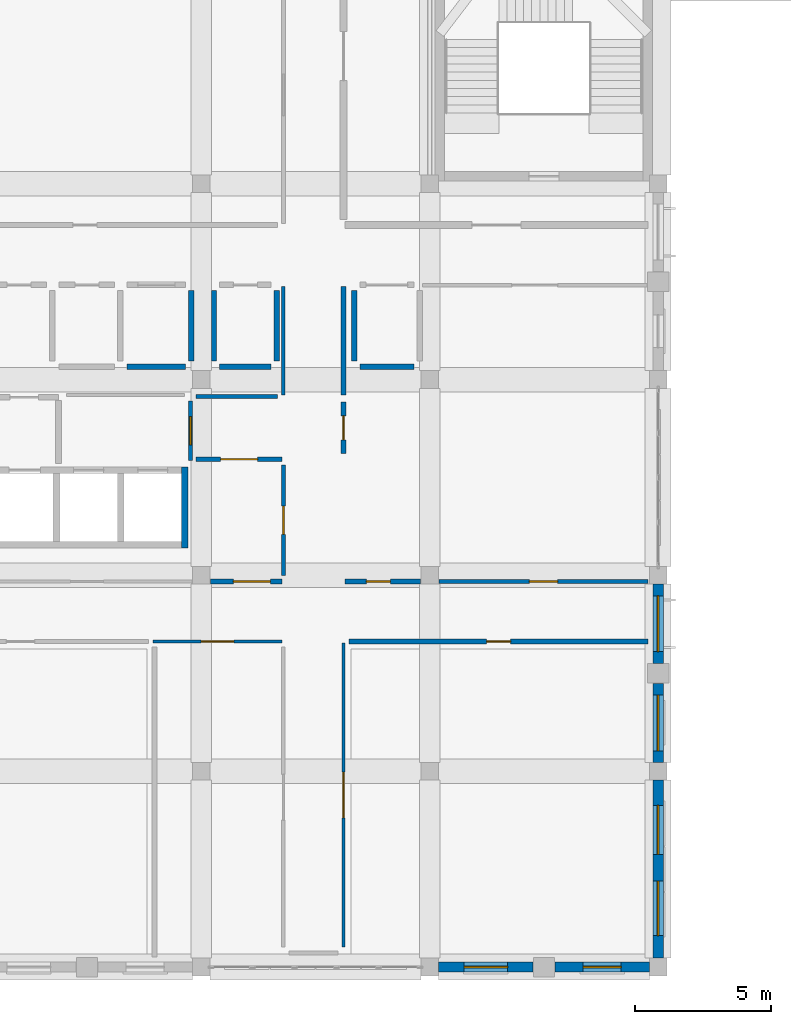
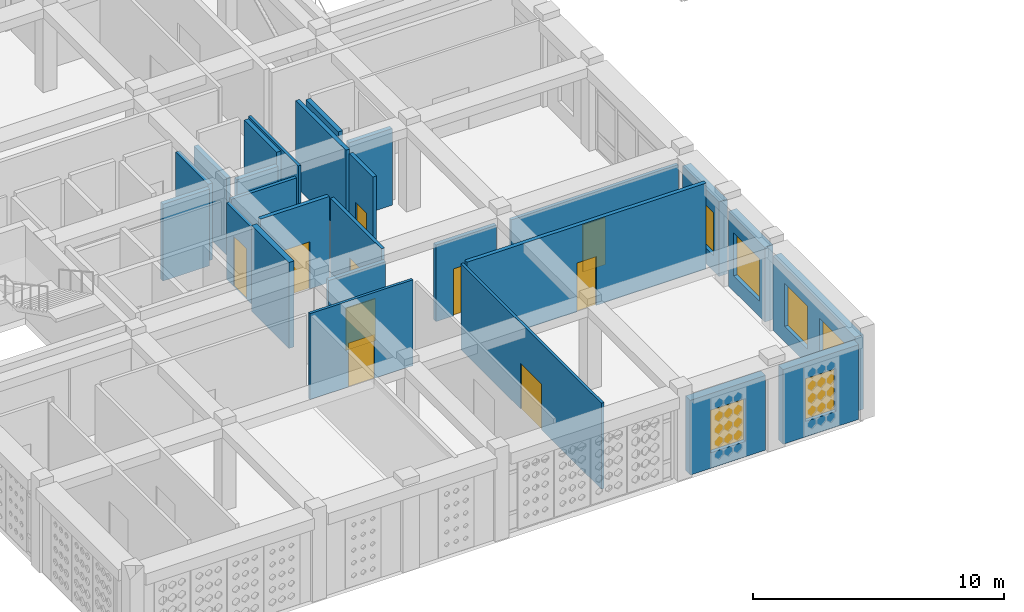
# One storey, part 41 of 79: 26 walls, 10 doors, 6 windows, 16 openings.
"""IFC4 building model written with IfcOpenShell, lengths in metres."""

from ifc_helpers import new_model, si_unit, derived_unit, direction, frame, frame_2d, origin, place, context, subcontext, project, spatial, rectangle, extrude, material, layer, layer_set, type_object, element, fill, save


model = new_model("IFC4")

# Units and contexts
model_context = context("Model", 3, precision=1e-05, world=origin(), true_north=direction((0.0, 1.0)))
body_context = subcontext(model_context, "Body", "Model", "MODEL_VIEW")
ifc_project = project(units=[si_unit("LENGTHUNIT", "METRE"), si_unit("AREAUNIT", "SQUARE_METRE"), si_unit("VOLUMEUNIT", "CUBIC_METRE"), si_unit("PLANEANGLEUNIT", "RADIAN"), si_unit("MASSUNIT", "GRAM", prefix="KILO"), derived_unit("THERMALTRANSMITTANCEUNIT", [(si_unit("POWERUNIT", "WATT"), 1), (si_unit("LENGTHUNIT", "METRE"), -2), (si_unit("THERMODYNAMICTEMPERATUREUNIT", "KELVIN"), -1)])], contexts=[model_context])

# Site, building, storey
site_placement = place(None, origin())
site = spatial("IfcSite", under=ifc_project, at=site_placement, CompositionType="ELEMENT")
building_placement = place(site_placement, origin())
building = spatial("IfcBuilding", under=site, at=building_placement, Name="Veybourne Emporium", CompositionType="ELEMENT")
storey_placement = place(building_placement, frame((0.0, 0.0, 18.89990234375)))
storey = spatial("IfcBuildingStorey", under=building, at=storey_placement, Name="L04", CompositionType="ELEMENT", Elevation=18.89990234375)

# Wall, opening, window
ifc_material_1 = material(Name="Portland Limestone Ashlar", Category="masonry")
ifc_layer_1 = layer(ifc_material_1, 0.3798828125)
ifc_layer_set_1 = layer_set([ifc_layer_1], Name="Portland Limestone Ashlar")
wall_type_1 = type_object("IfcWallType", Name="ExtWall_EW-03", PredefinedType="SOLIDWALL", material=ifc_layer_set_1)
wall_1_placement = place(storey_placement, frame((50.074951171875, 0.0, 0.0), z_axis=(0.0, 0.0, 1.0), x_axis=(-1.0, 0.0, 0.0)))
wall_1 = element("IfcWall", 1, at=wall_1_placement, inside=storey, type_object=wall_type_1, Name="L04 Portland stone external wall 024A", PredefinedType="SOLIDWALL", context=body_context, shape_type="SweptSolid", body=[
    extrude(rectangle(XDim=3.474853515625, YDim=0.3798828125, at=frame_2d((1.7373046875, 0.0))), origin(), (0.0, 0.0, 1.0), 3.630126953125),
])
opening_1_placement = place(wall_1_placement, frame((1.03759765625, 0.0, 0.75)))
opening_1 = element("IfcOpeningElement", 2, at=opening_1_placement, cuts=wall_1, Name="Opening W-10", PredefinedType="OPENING", context=body_context, shape_type="SweptSolid", body=[
    extrude(rectangle(XDim=1.39990234375, YDim=2.080078125, at=frame_2d((0.699951171875, 1.0400390625))), frame((0.0, 0.2099609375, 0.0), z_axis=(0.0, -1.0, 0.0), x_axis=(1.0, 0.0, 0.0)), (0.0, 0.0, 1.0), 0.419921875),
])
ifc_material_2 = material(Name="Low-E Triple Glazing", Category="glass")
window_type_1 = type_object("IfcWindowType", Name="Win_W-10", PartitioningType="DOUBLE_PANEL_VERTICAL", PredefinedType="WINDOW", material=ifc_material_2)
window_1_placement = place(opening_1_placement, origin())
window_1 = element("IfcWindow", 3, at=window_1_placement, inside=storey, type_object=window_type_1, Name="L04 tripartite bronze casement window W-10 (24A)", OverallHeight=2.080078125, OverallWidth=1.39990234375, PartitioningType="DOUBLE_PANEL_VERTICAL", PredefinedType="WINDOW", context=body_context, shape_type="SweptSolid", body=[
    extrude(rectangle(XDim=1.39990234375, YDim=2.080078125, at=frame_2d((0.699951171875, 1.0400390625))), frame((0.0, 0.030029296875, 0.0), z_axis=(0.0, -1.0, 0.0), x_axis=(1.0, 0.0, 0.0)), (0.0, 0.0, 1.0), 0.06005859375),
])
fill(opening_1, window_1)

wall_2_placement = place(storey_placement, frame((45.800048828125, 0.0, 0.0), z_axis=(0.0, 0.0, 1.0), x_axis=(-1.0, 0.0, 0.0)))
wall_2 = element("IfcWall", 4, at=wall_2_placement, inside=storey, type_object=wall_type_1, Name="L04 Portland stone external wall 024B", PredefinedType="SOLIDWALL", context=body_context, shape_type="SweptSolid", body=[
    extrude(rectangle(XDim=3.47509765625, YDim=0.3798828125, at=frame_2d((1.737548828125, 0.0))), origin(), (0.0, 0.0, 1.0), 3.630126953125),
])
opening_2_placement = place(wall_2_placement, frame((0.9375, 0.0, 0.75)))
opening_2 = element("IfcOpeningElement", 5, at=opening_2_placement, cuts=wall_2, Name="Opening W-11", PredefinedType="OPENING", context=body_context, shape_type="SweptSolid", body=[
    extrude(rectangle(XDim=1.60009765625, YDim=2.080078125, at=frame_2d((0.800048828125, 1.0400390625))), frame((0.0, 0.2099609375, 0.0), z_axis=(0.0, -1.0, 0.0), x_axis=(1.0, 0.0, 0.0)), (0.0, 0.0, 1.0), 0.419921875),
])
window_type_2 = type_object("IfcWindowType", Name="Win_W-11", PartitioningType="DOUBLE_PANEL_VERTICAL", PredefinedType="WINDOW", material=ifc_material_2)
window_2_placement = place(opening_2_placement, origin())
window_2 = element("IfcWindow", 6, at=window_2_placement, inside=storey, type_object=window_type_2, Name="L04 tripartite bronze casement window W-11 (24B)", OverallHeight=2.080078125, OverallWidth=1.60009765625, PartitioningType="DOUBLE_PANEL_VERTICAL", PredefinedType="WINDOW", context=body_context, shape_type="SweptSolid", body=[
    extrude(rectangle(XDim=1.60009765625, YDim=2.080078125, at=frame_2d((0.800048828125, 1.0400390625))), frame((0.0, 0.030029296875, 0.0), z_axis=(0.0, -1.0, 0.0), x_axis=(1.0, 0.0, 0.0)), (0.0, 0.0, 1.0), 0.06005859375),
])
fill(opening_2, window_2)

# Wall, openings, windows
wall_3_placement = place(storey_placement, frame((50.39990234375, 6.875, 0.0), z_axis=(0.0, 0.0, 1.0), x_axis=(0.0, -1.0, 0.0)))
wall_3 = element("IfcWall", 7, at=wall_3_placement, inside=storey, type_object=wall_type_1, Name="L04 Portland stone external wall 025", PredefinedType="SOLIDWALL", context=body_context, shape_type="SweptSolid", body=[
    extrude(rectangle(XDim=6.550048828125, YDim=0.3798828125, at=frame_2d((3.27490234375, 0.0))), origin(), (0.0, 0.0, 1.0), 3.630126953125),
])
opening_3_placement = place(wall_3_placement, frame((0.93408203125, 0.0, 0.75)))
opening_3 = element("IfcOpeningElement", 8, at=opening_3_placement, cuts=wall_3, Name="Opening W-12", PredefinedType="OPENING", context=body_context, shape_type="SweptSolid", body=[
    extrude(rectangle(XDim=1.800048828125, YDim=2.080078125, at=frame_2d((0.89990234375, 1.0400390625))), frame((0.0, 0.2099609375, 0.0), z_axis=(0.0, -1.0, 0.0), x_axis=(1.0, 0.0, 0.0)), (0.0, 0.0, 1.0), 0.419921875),
])
opening_4_placement = place(wall_3_placement, frame((3.716064453125, 0.0, 0.75)))
opening_4 = element("IfcOpeningElement", 9, at=opening_4_placement, cuts=wall_3, Name="Opening W-13", PredefinedType="OPENING", context=body_context, shape_type="SweptSolid", body=[
    extrude(rectangle(XDim=2.0, YDim=2.080078125, at=frame_2d((1.0, 1.0400390625))), frame((0.0, 0.2099609375, 0.0), z_axis=(0.0, -1.0, 0.0), x_axis=(1.0, 0.0, 0.0)), (0.0, 0.0, 1.0), 0.419921875),
])
window_type_3 = type_object("IfcWindowType", Name="Win_W-12", PartitioningType="DOUBLE_PANEL_VERTICAL", PredefinedType="WINDOW", material=ifc_material_2)
window_3_placement = place(opening_3_placement, origin())
window_3 = element("IfcWindow", 10, at=window_3_placement, inside=storey, type_object=window_type_3, Name="L04 tripartite bronze casement window W-12 (25.1)", OverallHeight=2.080078125, OverallWidth=1.800048828125, PartitioningType="DOUBLE_PANEL_VERTICAL", PredefinedType="WINDOW", context=body_context, shape_type="SweptSolid", body=[
    extrude(rectangle(XDim=1.800048828125, YDim=2.080078125, at=frame_2d((0.89990234375, 1.0400390625))), frame((0.0, 0.030029296875, 0.0), z_axis=(0.0, -1.0, 0.0), x_axis=(1.0, 0.0, 0.0)), (0.0, 0.0, 1.0), 0.06005859375),
])
fill(opening_3, window_3)
window_type_4 = type_object("IfcWindowType", Name="Win_W-13", PartitioningType="TRIPLE_PANEL_VERTICAL", PredefinedType="WINDOW", material=ifc_material_2)
window_4_placement = place(opening_4_placement, origin())
window_4 = element("IfcWindow", 11, at=window_4_placement, inside=storey, type_object=window_type_4, Name="L04 tripartite bronze casement window W-13 (25.2)", OverallHeight=2.080078125, OverallWidth=2.0, PartitioningType="TRIPLE_PANEL_VERTICAL", PredefinedType="WINDOW", context=body_context, shape_type="SweptSolid", body=[
    extrude(rectangle(XDim=2.0, YDim=2.080078125, at=frame_2d((1.0, 1.0400390625))), frame((0.0, 0.030029296875, 0.0), z_axis=(0.0, -1.0, 0.0), x_axis=(1.0, 0.0, 0.0)), (0.0, 0.0, 1.0), 0.06005859375),
])
fill(opening_4, window_4)

# Wall, opening, window
wall_4_placement = place(storey_placement, frame((50.39990234375, 14.074951171875, 0.0), z_axis=(0.0, 0.0, 1.0), x_axis=(0.0, -1.0, 0.0)))
wall_4 = element("IfcWall", 12, at=wall_4_placement, inside=storey, type_object=wall_type_1, Name="L04 Portland stone external wall 026A", PredefinedType="SOLIDWALL", context=body_context, shape_type="SweptSolid", body=[
    extrude(rectangle(XDim=2.905029296875, YDim=0.3798828125, at=frame_2d((1.45263671875, 0.0))), origin(), (0.0, 0.0, 1.0), 3.630126953125),
])
opening_5_placement = place(wall_4_placement, frame((0.427490234375, 0.0, 0.75)))
opening_5 = element("IfcOpeningElement", 13, at=opening_5_placement, cuts=wall_4, Name="Opening W-14", PredefinedType="OPENING", context=body_context, shape_type="SweptSolid", body=[
    extrude(rectangle(XDim=2.050048828125, YDim=2.080078125, at=frame_2d((1.02490234375, 1.0400390625))), frame((0.0, 0.2099609375, 0.0), z_axis=(0.0, -1.0, 0.0), x_axis=(1.0, 0.0, 0.0)), (0.0, 0.0, 1.0), 0.419921875),
])
window_type_5 = type_object("IfcWindowType", Name="Win_W-14", PartitioningType="TRIPLE_PANEL_VERTICAL", PredefinedType="WINDOW", material=ifc_material_2)
window_5_placement = place(opening_5_placement, origin())
window_5 = element("IfcWindow", 14, at=window_5_placement, inside=storey, type_object=window_type_5, Name="L04 tripartite bronze casement window W-14 (26A)", OverallHeight=2.080078125, OverallWidth=2.050048828125, PartitioningType="TRIPLE_PANEL_VERTICAL", PredefinedType="WINDOW", context=body_context, shape_type="SweptSolid", body=[
    extrude(rectangle(XDim=2.050048828125, YDim=2.080078125, at=frame_2d((1.02490234375, 1.0400390625))), frame((0.0, 0.030029296875, 0.0), z_axis=(0.0, -1.0, 0.0), x_axis=(1.0, 0.0, 0.0)), (0.0, 0.0, 1.0), 0.06005859375),
])
fill(opening_5, window_5)

wall_5_placement = place(storey_placement, frame((50.39990234375, 10.429931640625, 0.0), z_axis=(0.0, 0.0, 1.0), x_axis=(0.0, -1.0, 0.0)))
wall_5 = element("IfcWall", 15, at=wall_5_placement, inside=storey, type_object=wall_type_1, Name="L04 Portland stone external wall 026B", PredefinedType="SOLIDWALL", context=body_context, shape_type="SweptSolid", body=[
    extrude(rectangle(XDim=2.905029296875, YDim=0.3798828125, at=frame_2d((1.45263671875, 0.0))), origin(), (0.0, 0.0, 1.0), 3.630126953125),
])
opening_6_placement = place(wall_5_placement, frame((0.427490234375, 0.0, 0.75)))
opening_6 = element("IfcOpeningElement", 16, at=opening_6_placement, cuts=wall_5, Name="Opening W-15", PredefinedType="OPENING", context=body_context, shape_type="SweptSolid", body=[
    extrude(rectangle(XDim=2.050048828125, YDim=2.080078125, at=frame_2d((1.02490234375, 1.0400390625))), frame((0.0, 0.2099609375, 0.0), z_axis=(0.0, -1.0, 0.0), x_axis=(1.0, 0.0, 0.0)), (0.0, 0.0, 1.0), 0.419921875),
])
window_type_6 = type_object("IfcWindowType", Name="Win_W-15", PartitioningType="TRIPLE_PANEL_VERTICAL", PredefinedType="WINDOW", material=ifc_material_2)
window_6_placement = place(opening_6_placement, origin())
window_6 = element("IfcWindow", 17, at=window_6_placement, inside=storey, type_object=window_type_6, Name="L04 tripartite bronze casement window W-15 (26B)", OverallHeight=2.080078125, OverallWidth=2.050048828125, PartitioningType="TRIPLE_PANEL_VERTICAL", PredefinedType="WINDOW", context=body_context, shape_type="SweptSolid", body=[
    extrude(rectangle(XDim=2.050048828125, YDim=2.080078125, at=frame_2d((1.02490234375, 1.0400390625))), frame((0.0, 0.030029296875, 0.0), z_axis=(0.0, -1.0, 0.0), x_axis=(1.0, 0.0, 0.0)), (0.0, 0.0, 1.0), 0.06005859375),
])
fill(opening_6, window_6)

# Wall
ifc_material_3 = material(Name="Concrete C40/50", Category="concrete")
ifc_layer_2 = layer(ifc_material_3, 0.239990234375)
ifc_layer_set_2 = layer_set([ifc_layer_2], Name="Concrete C40/50")
wall_type_2 = type_object("IfcWallType", Name="IntWall_CW-04", PredefinedType="SHEAR", material=ifc_layer_set_2)
wall_6_placement = place(storey_placement, frame((33.0, 15.409912109375, 0.0), z_axis=(0.0, 0.0, 1.0), x_axis=(0.0, 1.0, 0.0)))
element("IfcWall", 18, at=wall_6_placement, inside=storey, type_object=wall_type_2, Name="Lift core C1 east shaft wall (L04)", PredefinedType="SHEAR", context=body_context, shape_type="SweptSolid", body=[
    extrude(rectangle(XDim=2.97998046875, YDim=0.239990234375, at=frame_2d((1.489990234375, 0.0))), origin(), (0.0, 0.0, 1.0), 4.18017578125),
])

# Wall, opening, door
ifc_material_4 = material(Name="Gypsum Acoustic Board", Category="gypsum")
ifc_layer_3 = layer(ifc_material_4, 0.179931640625)
ifc_layer_set_3 = layer_set([ifc_layer_3], Name="Gypsum Acoustic Board")
wall_type_3 = type_object("IfcWallType", Name="IntWall_IW-01", PredefinedType="PARTITIONING", material=ifc_layer_set_3)
wall_7_placement = place(storey_placement, frame((33.945068359375, 14.179931640625, 0.0), z_axis=(0.0, 0.0, 1.0), x_axis=(1.0, 0.0, 0.0)))
wall_7 = element("IfcWall", 19, at=wall_7_placement, inside=storey, type_object=wall_type_3, Name="L04 interior partition IW-01 #016", PredefinedType="PARTITIONING", context=body_context, shape_type="SweptSolid", body=[
    extrude(rectangle(XDim=2.625, YDim=0.179931640625, at=frame_2d((1.3125, 0.0))), origin(), (0.0, 0.0, 1.0), 3.72998046875),
])
opening_7_placement = place(wall_7_placement, frame((0.8349609375, 0.0, 0.0)))
opening_7 = element("IfcOpeningElement", 20, at=opening_7_placement, cuts=wall_7, Name="Opening D-04", PredefinedType="OPENING", context=body_context, shape_type="SweptSolid", body=[
    extrude(rectangle(XDim=1.360107421875, YDim=2.050048828125, at=frame_2d((0.68017578125, 1.02490234375))), frame((0.0, 0.10986328125, 0.0), z_axis=(0.0, -1.0, 0.0), x_axis=(1.0, 0.0, 0.0)), (0.0, 0.0, 1.0), 0.219970703125),
])
ifc_material_5 = material(Name="European Oak Veneer and Bronze", Category="wood")
door_type_1 = type_object("IfcDoorType", Name="IntDoor_D-04", OperationType="NOTDEFINED", PredefinedType="DOOR", material=ifc_material_5)
door_1_placement = place(opening_7_placement, origin())
door_1 = element("IfcDoor", 21, at=door_1_placement, inside=storey, type_object=door_type_1, Name="L04 interior door D-04 (PART-L04-016)", OperationType="SINGLE_SWING_LEFT", OverallHeight=2.050048828125, OverallWidth=1.360107421875, PredefinedType="DOOR", context=body_context, shape_type="SweptSolid", body=[
    extrude(rectangle(XDim=1.360107421875, YDim=2.050048828125, at=frame_2d((0.68017578125, 1.02490234375))), frame((0.0, 0.02490234375, 0.0), z_axis=(0.0, -1.0, 0.0), x_axis=(1.0, 0.0, 0.0)), (0.0, 0.0, 1.0), 0.050048828125),
])
fill(opening_7, door_1)

wall_8_placement = place(storey_placement, frame((38.8798828125, 14.179931640625, 0.0), z_axis=(0.0, 0.0, 1.0), x_axis=(1.0, 0.0, 0.0)))
wall_8 = element("IfcWall", 22, at=wall_8_placement, inside=storey, type_object=wall_type_3, Name="L04 interior partition IW-01 #031", PredefinedType="PARTITIONING", context=body_context, shape_type="SweptSolid", body=[
    extrude(rectangle(XDim=2.775146484375, YDim=0.179931640625, at=frame_2d((1.3876953125, 0.0))), origin(), (0.0, 0.0, 1.0), 3.72998046875),
])
opening_8_placement = place(wall_8_placement, frame((0.7958984375, 0.0, 0.0)))
opening_8 = element("IfcOpeningElement", 23, at=opening_8_placement, cuts=wall_8, Name="Opening D-19", PredefinedType="OPENING", context=body_context, shape_type="SweptSolid", body=[
    extrude(rectangle(XDim=0.8798828125, YDim=2.2900390625, at=frame_2d((0.43994140625, 1.14501953125))), frame((0.0, 0.10986328125, 0.0), z_axis=(0.0, -1.0, 0.0), x_axis=(1.0, 0.0, 0.0)), (0.0, 0.0, 1.0), 0.219970703125),
])
door_type_2 = type_object("IfcDoorType", Name="IntDoor_D-19", OperationType="NOTDEFINED", PredefinedType="DOOR", material=ifc_material_5)
door_2_placement = place(opening_8_placement, origin())
door_2 = element("IfcDoor", 24, at=door_2_placement, inside=storey, type_object=door_type_2, Name="L04 interior door D-19 (PART-L04-031)", OperationType="SINGLE_SWING_RIGHT", OverallHeight=2.2900390625, OverallWidth=0.8798828125, PredefinedType="DOOR", context=body_context, shape_type="SweptSolid", body=[
    extrude(rectangle(XDim=0.8798828125, YDim=2.2900390625, at=frame_2d((0.43994140625, 1.14501953125))), frame((0.0, 0.02490234375, 0.0), z_axis=(0.0, -1.0, 0.0), x_axis=(1.0, 0.0, 0.0)), (0.0, 0.0, 1.0), 0.050048828125),
])
fill(opening_8, door_2)

wall_9_placement = place(storey_placement, frame((39.0400390625, 11.969970703125, 0.0), z_axis=(0.0, 0.0, 1.0), x_axis=(1.0, 0.0, 0.0)))
wall_9 = element("IfcWall", 25, at=wall_9_placement, inside=storey, type_object=wall_type_3, Name="L04 interior partition IW-01 #037", PredefinedType="PARTITIONING", context=body_context, shape_type="SweptSolid", body=[
    extrude(rectangle(XDim=10.989990234375, YDim=0.179931640625, at=frame_2d((5.4951171875, 0.0))), origin(), (0.0, 0.0, 1.0), 4.18017578125),
])
opening_9_placement = place(wall_9_placement, frame((5.054931640625, 0.0, 0.0)))
opening_9 = element("IfcOpeningElement", 26, at=opening_9_placement, cuts=wall_9, Name="Opening D-25", PredefinedType="OPENING", context=body_context, shape_type="SweptSolid", body=[
    extrude(rectangle(XDim=0.8798828125, YDim=2.3701171875, at=frame_2d((0.43994140625, 1.18505859375))), frame((0.0, 0.10986328125, 0.0), z_axis=(0.0, -1.0, 0.0), x_axis=(1.0, 0.0, 0.0)), (0.0, 0.0, 1.0), 0.219970703125),
])
door_type_3 = type_object("IfcDoorType", Name="IntDoor_D-25", OperationType="NOTDEFINED", PredefinedType="DOOR", material=ifc_material_5)
door_3_placement = place(opening_9_placement, origin())
door_3 = element("IfcDoor", 27, at=door_3_placement, inside=storey, type_object=door_type_3, Name="L04 interior door D-25 (PART-L04-037)", OperationType="SINGLE_SWING_RIGHT", OverallHeight=2.3701171875, OverallWidth=0.8798828125, PredefinedType="DOOR", context=body_context, shape_type="SweptSolid", body=[
    extrude(rectangle(XDim=0.8798828125, YDim=2.3701171875, at=frame_2d((0.43994140625, 1.18505859375))), frame((0.0, 0.02490234375, 0.0), z_axis=(0.0, -1.0, 0.0), x_axis=(1.0, 0.0, 0.0)), (0.0, 0.0, 1.0), 0.050048828125),
])
fill(opening_9, door_3)

# Wall
wall_10_placement = place(storey_placement, frame((38.830078125, 21.030029296875, 0.0), z_axis=(0.0, 0.0, 1.0), x_axis=(0.0, 1.0, 0.0)))
element("IfcWall", 28, at=wall_10_placement, inside=storey, type_object=wall_type_3, Name="L04 interior partition IW-01 #064", PredefinedType="PARTITIONING", context=body_context, shape_type="SweptSolid", body=[
    extrude(rectangle(XDim=3.989990234375, YDim=0.179931640625, at=frame_2d((1.9951171875, 0.0))), origin(), (0.0, 0.0, 1.0), 4.18017578125),
])

# Wall, opening, door
wall_11_placement = place(storey_placement, frame((33.409912109375, 18.669921875, 0.0), z_axis=(0.0, 0.0, 1.0), x_axis=(1.0, 0.0, 0.0)))
wall_11 = element("IfcWall", 29, at=wall_11_placement, inside=storey, type_object=wall_type_3, Name="L04 interior partition IW-01 #070", PredefinedType="PARTITIONING", context=body_context, shape_type="SweptSolid", body=[
    extrude(rectangle(XDim=3.16015625, YDim=0.179931640625, at=frame_2d((1.580078125, 0.0))), origin(), (0.0, 0.0, 1.0), 4.18017578125),
])
opening_10_placement = place(wall_11_placement, frame((0.89990234375, 0.0, 0.0)))
opening_10 = element("IfcOpeningElement", 30, at=opening_10_placement, cuts=wall_11, Name="Opening D-22", PredefinedType="OPENING", context=body_context, shape_type="SweptSolid", body=[
    extrude(rectangle(XDim=1.360107421875, YDim=2.2900390625, at=frame_2d((0.68017578125, 1.14501953125))), frame((0.0, 0.10986328125, 0.0), z_axis=(0.0, -1.0, 0.0), x_axis=(1.0, 0.0, 0.0)), (0.0, 0.0, 1.0), 0.219970703125),
])
door_type_4 = type_object("IfcDoorType", Name="IntDoor_D-22", OperationType="NOTDEFINED", PredefinedType="DOOR", material=ifc_material_5)
door_4_placement = place(opening_10_placement, origin())
door_4 = element("IfcDoor", 31, at=door_4_placement, inside=storey, type_object=door_type_4, Name="L04 interior door D-22 (PART-L04-070)", OperationType="SINGLE_SWING_RIGHT", OverallHeight=2.2900390625, OverallWidth=1.360107421875, PredefinedType="DOOR", context=body_context, shape_type="SweptSolid", body=[
    extrude(rectangle(XDim=1.360107421875, YDim=2.2900390625, at=frame_2d((0.68017578125, 1.14501953125))), frame((0.0, 0.02490234375, 0.0), z_axis=(0.0, -1.0, 0.0), x_axis=(1.0, 0.0, 0.0)), (0.0, 0.0, 1.0), 0.050048828125),
])
fill(opening_10, door_4)

wall_12_placement = place(storey_placement, frame((38.830078125, 18.8798828125, 0.0), z_axis=(0.0, 0.0, 1.0), x_axis=(0.0, 1.0, 0.0)))
wall_12 = element("IfcWall", 32, at=wall_12_placement, inside=storey, type_object=wall_type_3, Name="L04 interior partition IW-01 #091", PredefinedType="PARTITIONING", context=body_context, shape_type="SweptSolid", body=[
    extrude(rectangle(XDim=1.89013671875, YDim=0.179931640625, at=frame_2d((0.945068359375, 0.0))), origin(), (0.0, 0.0, 1.0), 4.18017578125),
])
opening_11_placement = place(wall_12_placement, frame((0.5048828125, 0.0, 0.0)))
opening_11 = element("IfcOpeningElement", 33, at=opening_11_placement, cuts=wall_12, Name="Opening D-07", PredefinedType="OPENING", context=body_context, shape_type="SweptSolid", body=[
    extrude(rectangle(XDim=0.8798828125, YDim=2.1298828125, at=frame_2d((0.43994140625, 1.06494140625))), frame((0.0, 0.10986328125, 0.0), z_axis=(0.0, -1.0, 0.0), x_axis=(1.0, 0.0, 0.0)), (0.0, 0.0, 1.0), 0.219970703125),
])
door_type_5 = type_object("IfcDoorType", Name="IntDoor_D-07", OperationType="NOTDEFINED", PredefinedType="DOOR", material=ifc_material_5)
door_5_placement = place(opening_11_placement, origin())
door_5 = element("IfcDoor", 34, at=door_5_placement, inside=storey, type_object=door_type_5, Name="L04 interior door D-07 (PART-L04-091)", OperationType="SINGLE_SWING_RIGHT", OverallHeight=2.1298828125, OverallWidth=0.8798828125, PredefinedType="DOOR", context=body_context, shape_type="SweptSolid", body=[
    extrude(rectangle(XDim=0.8798828125, YDim=2.1298828125, at=frame_2d((0.43994140625, 1.06494140625))), frame((0.0, 0.02490234375, 0.0), z_axis=(0.0, -1.0, 0.0), x_axis=(1.0, 0.0, 0.0)), (0.0, 0.0, 1.0), 0.050048828125),
])
fill(opening_11, door_5)

ifc_layer_4 = layer(ifc_material_4, 0.14990234375)
ifc_layer_set_4 = layer_set([ifc_layer_4], Name="Gypsum Acoustic Board")
wall_type_4 = type_object("IfcWallType", Name="IntWall_IW-02", PredefinedType="PARTITIONING", material=ifc_layer_set_4)
wall_13_placement = place(storey_placement, frame((42.344970703125, 14.179931640625, 0.0), z_axis=(0.0, 0.0, 1.0), x_axis=(1.0, 0.0, 0.0)))
wall_13 = element("IfcWall", 35, at=wall_13_placement, inside=storey, type_object=wall_type_4, Name="L04 interior partition IW-02 #032", PredefinedType="PARTITIONING", context=body_context, shape_type="SweptSolid", body=[
    extrude(rectangle(XDim=7.68505859375, YDim=0.14990234375, at=frame_2d((3.842529296875, 0.0))), origin(), (0.0, 0.0, 1.0), 3.72998046875),
])
opening_12_placement = place(wall_13_placement, frame((3.322509765625, 0.0, 0.0)))
opening_12 = element("IfcOpeningElement", 36, at=opening_12_placement, cuts=wall_13, Name="Opening D-20", PredefinedType="OPENING", context=body_context, shape_type="SweptSolid", body=[
    extrude(rectangle(XDim=1.0400390625, YDim=2.2900390625, at=frame_2d((0.52001953125, 1.14501953125))), frame((0.0, 0.094970703125, 0.0), z_axis=(0.0, -1.0, 0.0), x_axis=(1.0, 0.0, 0.0)), (0.0, 0.0, 1.0), 0.18994140625),
])
door_type_6 = type_object("IfcDoorType", Name="IntDoor_D-20", OperationType="NOTDEFINED", PredefinedType="DOOR", material=ifc_material_5)
door_6_placement = place(opening_12_placement, origin())
door_6 = element("IfcDoor", 37, at=door_6_placement, inside=storey, type_object=door_type_6, Name="L04 interior door D-20 (PART-L04-032)", OperationType="SINGLE_SWING_LEFT", OverallHeight=2.2900390625, OverallWidth=1.0400390625, PredefinedType="DOOR", context=body_context, shape_type="SweptSolid", body=[
    extrude(rectangle(XDim=1.0400390625, YDim=2.2900390625, at=frame_2d((0.52001953125, 1.14501953125))), frame((0.0, 0.02490234375, 0.0), z_axis=(0.0, -1.0, 0.0), x_axis=(1.0, 0.0, 0.0)), (0.0, 0.0, 1.0), 0.050048828125),
])
fill(opening_12, door_6)

wall_14_placement = place(storey_placement, frame((36.6201171875, 14.389892578125, 0.0), z_axis=(0.0, 0.0, 1.0), x_axis=(0.0, 1.0, 0.0)))
wall_14 = element("IfcWall", 38, at=wall_14_placement, inside=storey, type_object=wall_type_4, Name="L04 interior partition IW-02 #062", PredefinedType="PARTITIONING", context=body_context, shape_type="SweptSolid", body=[
    extrude(rectangle(XDim=4.070068359375, YDim=0.14990234375, at=frame_2d((2.03515625, 0.0))), origin(), (0.0, 0.0, 1.0), 4.18017578125),
])
opening_13_placement = place(wall_14_placement, frame((1.514892578125, 0.0, 0.0)))
opening_13 = element("IfcOpeningElement", 39, at=opening_13_placement, cuts=wall_14, Name="Opening D-14", PredefinedType="OPENING", context=body_context, shape_type="SweptSolid", body=[
    extrude(rectangle(XDim=1.0400390625, YDim=2.2099609375, at=frame_2d((0.52001953125, 1.10498046875))), frame((0.0, 0.094970703125, 0.0), z_axis=(0.0, -1.0, 0.0), x_axis=(1.0, 0.0, 0.0)), (0.0, 0.0, 1.0), 0.18994140625),
])
door_type_7 = type_object("IfcDoorType", Name="IntDoor_D-14", OperationType="NOTDEFINED", PredefinedType="DOOR", material=ifc_material_5)
door_7_placement = place(opening_13_placement, origin())
door_7 = element("IfcDoor", 40, at=door_7_placement, inside=storey, type_object=door_type_7, Name="L04 interior door D-14 (PART-L04-062)", OperationType="SINGLE_SWING_RIGHT", OverallHeight=2.2099609375, OverallWidth=1.0400390625, PredefinedType="DOOR", context=body_context, shape_type="SweptSolid", body=[
    extrude(rectangle(XDim=1.0400390625, YDim=2.2099609375, at=frame_2d((0.52001953125, 1.10498046875))), frame((0.0, 0.02490234375, 0.0), z_axis=(0.0, -1.0, 0.0), x_axis=(1.0, 0.0, 0.0)), (0.0, 0.0, 1.0), 0.050048828125),
])
fill(opening_13, door_7)

# Wall
wall_15_placement = place(storey_placement, frame((33.409912109375, 20.97998046875, 0.0), z_axis=(0.0, 0.0, 1.0), x_axis=(1.0, 0.0, 0.0)))
element("IfcWall", 41, at=wall_15_placement, inside=storey, type_object=wall_type_4, Name="L04 interior partition IW-02 #071", PredefinedType="PARTITIONING", context=body_context, shape_type="SweptSolid", body=[
    extrude(rectangle(XDim=3.0, YDim=0.14990234375, at=frame_2d((1.5, 0.0))), origin(), (0.0, 0.0, 1.0), 3.72998046875),
])

# Wall, opening, door
wall_16_placement = place(storey_placement, frame((33.199951171875, 18.6201171875, 0.0), z_axis=(0.0, 0.0, 1.0), x_axis=(0.0, 1.0, 0.0)))
wall_16 = element("IfcWall", 42, at=wall_16_placement, inside=storey, type_object=wall_type_4, Name="L04 interior partition IW-02 #080", PredefinedType="PARTITIONING", context=body_context, shape_type="SweptSolid", body=[
    extrude(rectangle(XDim=2.199951171875, YDim=0.14990234375, at=frame_2d((1.10009765625, 0.0))), origin(), (0.0, 0.0, 1.0), 3.72998046875),
])
opening_14_placement = place(wall_16_placement, frame((0.580078125, 0.0, 0.0)))
opening_14 = element("IfcOpeningElement", 43, at=opening_14_placement, cuts=wall_16, Name="Opening D-32", PredefinedType="OPENING", context=body_context, shape_type="SweptSolid", body=[
    extrude(rectangle(XDim=1.0400390625, YDim=2.449951171875, at=frame_2d((0.52001953125, 1.22509765625))), frame((0.0, 0.094970703125, 0.0), z_axis=(0.0, -1.0, 0.0), x_axis=(1.0, 0.0, 0.0)), (0.0, 0.0, 1.0), 0.18994140625),
])
door_type_8 = type_object("IfcDoorType", Name="IntDoor_D-32", OperationType="NOTDEFINED", PredefinedType="DOOR", material=ifc_material_5)
door_8_placement = place(opening_14_placement, origin())
door_8 = element("IfcDoor", 44, at=door_8_placement, inside=storey, type_object=door_type_8, Name="L04 interior door D-32 (PART-L04-080)", OperationType="SINGLE_SWING_RIGHT", OverallHeight=2.449951171875, OverallWidth=1.0400390625, PredefinedType="DOOR", context=body_context, shape_type="SweptSolid", body=[
    extrude(rectangle(XDim=1.0400390625, YDim=2.449951171875, at=frame_2d((0.52001953125, 1.22509765625))), frame((0.0, 0.02490234375, 0.0), z_axis=(0.0, -1.0, 0.0), x_axis=(1.0, 0.0, 0.0)), (0.0, 0.0, 1.0), 0.050048828125),
])
fill(opening_14, door_8)

ifc_layer_5 = layer(ifc_material_4, 0.1201171875)
ifc_layer_set_5 = layer_set([ifc_layer_5], Name="Gypsum Acoustic Board")
wall_type_5 = type_object("IfcWallType", Name="IntWall_IW-03", PredefinedType="PARTITIONING", material=ifc_layer_set_5)
wall_17_placement = place(storey_placement, frame((38.830078125, 0.72998046875, 0.0), z_axis=(0.0, 0.0, 1.0), x_axis=(0.0, 1.0, 0.0)))
wall_17 = element("IfcWall", 45, at=wall_17_placement, inside=storey, type_object=wall_type_5, Name="L04 interior partition IW-03 #030", PredefinedType="PARTITIONING", context=body_context, shape_type="SweptSolid", body=[
    extrude(rectangle(XDim=11.18994140625, YDim=0.1201171875, at=frame_2d((5.594970703125, 0.0))), origin(), (0.0, 0.0, 1.0), 4.18017578125),
])
opening_15_placement = place(wall_17_placement, frame((4.7548828125, 0.0, 0.0)))
opening_15 = element("IfcOpeningElement", 46, at=opening_15_placement, cuts=wall_17, Name="Opening D-18", PredefinedType="OPENING", context=body_context, shape_type="SweptSolid", body=[
    extrude(rectangle(XDim=1.679931640625, YDim=2.2099609375, at=frame_2d((0.83984375, 1.10498046875))), frame((0.0, 0.080078125, 0.0), z_axis=(0.0, -1.0, 0.0), x_axis=(1.0, 0.0, 0.0)), (0.0, 0.0, 1.0), 0.16015625),
])
door_type_9 = type_object("IfcDoorType", Name="IntDoor_D-18", OperationType="DOUBLE_DOOR_SINGLE_SWING", PredefinedType="DOOR", material=ifc_material_5)
door_9_placement = place(opening_15_placement, origin())
door_9 = element("IfcDoor", 47, at=door_9_placement, inside=storey, type_object=door_type_9, Name="L04 interior door D-18 (PART-L04-030)", OperationType="DOUBLE_DOOR_SINGLE_SWING", OverallHeight=2.2099609375, OverallWidth=1.679931640625, PredefinedType="DOOR", context=body_context, shape_type="SweptSolid", body=[
    extrude(rectangle(XDim=1.679931640625, YDim=2.2099609375, at=frame_2d((0.83984375, 1.10498046875))), frame((0.0, 0.02490234375, 0.0), z_axis=(0.0, -1.0, 0.0), x_axis=(1.0, 0.0, 0.0)), (0.0, 0.0, 1.0), 0.050048828125),
])
fill(opening_15, door_9)

wall_18_placement = place(storey_placement, frame((31.830078125, 11.969970703125, 0.0), z_axis=(0.0, 0.0, 1.0), x_axis=(1.0, 0.0, 0.0)))
wall_18 = element("IfcWall", 48, at=wall_18_placement, inside=storey, type_object=wall_type_5, Name="L04 interior partition IW-03 #057", PredefinedType="PARTITIONING", context=body_context, shape_type="SweptSolid", body=[
    extrude(rectangle(XDim=4.739990234375, YDim=0.1201171875, at=frame_2d((2.3701171875, 0.0))), origin(), (0.0, 0.0, 1.0), 4.18017578125),
])
opening_16_placement = place(wall_18_placement, frame((1.77001953125, 0.0, 0.0)))
opening_16 = element("IfcOpeningElement", 49, at=opening_16_placement, cuts=wall_18, Name="Opening D-09", PredefinedType="OPENING", context=body_context, shape_type="SweptSolid", body=[
    extrude(rectangle(XDim=1.199951171875, YDim=2.1298828125, at=frame_2d((0.60009765625, 1.06494140625))), frame((0.0, 0.080078125, 0.0), z_axis=(0.0, -1.0, 0.0), x_axis=(1.0, 0.0, 0.0)), (0.0, 0.0, 1.0), 0.16015625),
])
door_type_10 = type_object("IfcDoorType", Name="IntDoor_D-09", OperationType="NOTDEFINED", PredefinedType="DOOR", material=ifc_material_5)
door_10_placement = place(opening_16_placement, origin())
door_10 = element("IfcDoor", 50, at=door_10_placement, inside=storey, type_object=door_type_10, Name="L04 interior door D-09 (PART-L04-057)", OperationType="SINGLE_SWING_RIGHT", OverallHeight=2.1298828125, OverallWidth=1.199951171875, PredefinedType="DOOR", context=body_context, shape_type="SweptSolid", body=[
    extrude(rectangle(XDim=1.199951171875, YDim=2.1298828125, at=frame_2d((0.60009765625, 1.06494140625))), frame((0.0, 0.02490234375, 0.0), z_axis=(0.0, -1.0, 0.0), x_axis=(1.0, 0.0, 0.0)), (0.0, 0.0, 1.0), 0.050048828125),
])
fill(opening_16, door_10)

# Walls
wall_19_placement = place(storey_placement, frame((36.6201171875, 21.030029296875, 0.0), z_axis=(0.0, 0.0, 1.0), x_axis=(0.0, 1.0, 0.0)))
element("IfcWall", 51, at=wall_19_placement, inside=storey, type_object=wall_type_5, Name="L04 interior partition IW-03 #063", PredefinedType="PARTITIONING", context=body_context, shape_type="SweptSolid", body=[
    extrude(rectangle(XDim=3.989990234375, YDim=0.1201171875, at=frame_2d((1.9951171875, 0.0))), origin(), (0.0, 0.0, 1.0), 4.18017578125),
])
ifc_layer_6 = layer(ifc_material_4, 0.199951171875)
ifc_layer_set_6 = layer_set([ifc_layer_6], Name="Gypsum Acoustic Board")
wall_type_6 = type_object("IfcWallType", Name="IntWall_IW-04", PredefinedType="PLUMBINGWALL", material=ifc_layer_set_6)
wall_20_placement = place(storey_placement, frame((33.22998046875, 22.280029296875, 0.0), z_axis=(0.0, 0.0, 1.0), x_axis=(0.0, 1.0, 0.0)))
element("IfcWall", 52, at=wall_20_placement, inside=storey, type_object=wall_type_6, Name="L04 interior partition IW-04 #134", PredefinedType="PLUMBINGWALL", context=body_context, shape_type="SweptSolid", body=[
    extrude(rectangle(XDim=2.590087890625, YDim=0.199951171875, at=frame_2d((1.294921875, 0.0))), origin(), (0.0, 0.0, 1.0), 3.72998046875),
])
wall_21_placement = place(storey_placement, frame((36.3798828125, 22.280029296875, 0.0), z_axis=(0.0, 0.0, 1.0), x_axis=(0.0, 1.0, 0.0)))
element("IfcWall", 53, at=wall_21_placement, inside=storey, type_object=wall_type_6, Name="L04 interior partition IW-04 #135", PredefinedType="PLUMBINGWALL", context=body_context, shape_type="SweptSolid", body=[
    extrude(rectangle(XDim=2.590087890625, YDim=0.199951171875, at=frame_2d((1.294921875, 0.0))), origin(), (0.0, 0.0, 1.0), 4.18017578125),
])
wall_22_placement = place(storey_placement, frame((34.070068359375, 22.280029296875, 0.0), z_axis=(0.0, 0.0, 1.0), x_axis=(0.0, 1.0, 0.0)))
element("IfcWall", 54, at=wall_22_placement, inside=storey, type_object=wall_type_6, Name="L04 interior partition IW-04 #136", PredefinedType="PLUMBINGWALL", context=body_context, shape_type="SweptSolid", body=[
    extrude(rectangle(XDim=2.590087890625, YDim=0.199951171875, at=frame_2d((1.294921875, 0.0))), origin(), (0.0, 0.0, 1.0), 3.72998046875),
])
wall_23_placement = place(storey_placement, frame((39.219970703125, 22.280029296875, 0.0), z_axis=(0.0, 0.0, 1.0), x_axis=(0.0, 1.0, 0.0)))
element("IfcWall", 55, at=wall_23_placement, inside=storey, type_object=wall_type_6, Name="L04 interior partition IW-04 #138", PredefinedType="PLUMBINGWALL", context=body_context, shape_type="SweptSolid", body=[
    extrude(rectangle(XDim=2.590087890625, YDim=0.199951171875, at=frame_2d((1.294921875, 0.0))), origin(), (0.0, 0.0, 1.0), 4.18017578125),
])
wall_24_placement = place(storey_placement, frame((30.8798828125, 22.070068359375, 0.0), z_axis=(0.0, 0.0, 1.0), x_axis=(1.0, 0.0, 0.0)))
element("IfcWall", 56, at=wall_24_placement, inside=storey, type_object=wall_type_6, Name="L04 interior partition IW-04 #140", PredefinedType="PLUMBINGWALL", context=body_context, shape_type="SweptSolid", body=[
    extrude(rectangle(XDim=2.14013671875, YDim=0.199951171875, at=frame_2d((1.070068359375, 0.0))), origin(), (0.0, 0.0, 1.0), 3.72998046875),
])
wall_25_placement = place(storey_placement, frame((39.429931640625, 22.070068359375, 0.0), z_axis=(0.0, 0.0, 1.0), x_axis=(1.0, 0.0, 0.0)))
element("IfcWall", 57, at=wall_25_placement, inside=storey, type_object=wall_type_6, Name="L04 interior partition IW-04 #142", PredefinedType="PLUMBINGWALL", context=body_context, shape_type="SweptSolid", body=[
    extrude(rectangle(XDim=1.989990234375, YDim=0.199951171875, at=frame_2d((0.9951171875, 0.0))), origin(), (0.0, 0.0, 1.0), 3.72998046875),
])
wall_26_placement = place(storey_placement, frame((34.280029296875, 22.070068359375, 0.0), z_axis=(0.0, 0.0, 1.0), x_axis=(1.0, 0.0, 0.0)))
element("IfcWall", 58, at=wall_26_placement, inside=storey, type_object=wall_type_6, Name="L04 interior partition IW-04 #143", PredefinedType="PLUMBINGWALL", context=body_context, shape_type="SweptSolid", body=[
    extrude(rectangle(XDim=1.889892578125, YDim=0.199951171875, at=frame_2d((0.94482421875, 0.0))), origin(), (0.0, 0.0, 1.0), 3.72998046875),
])

save(model, "model.ifc")
